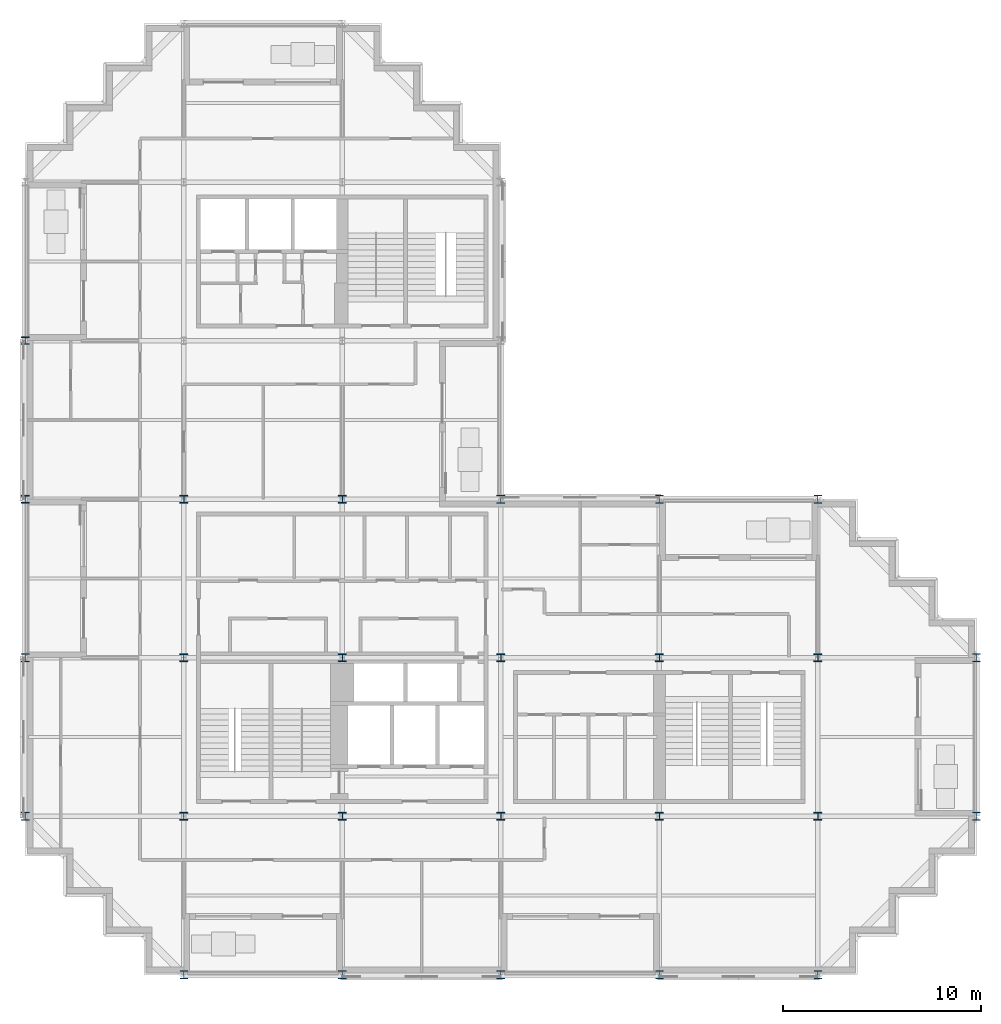
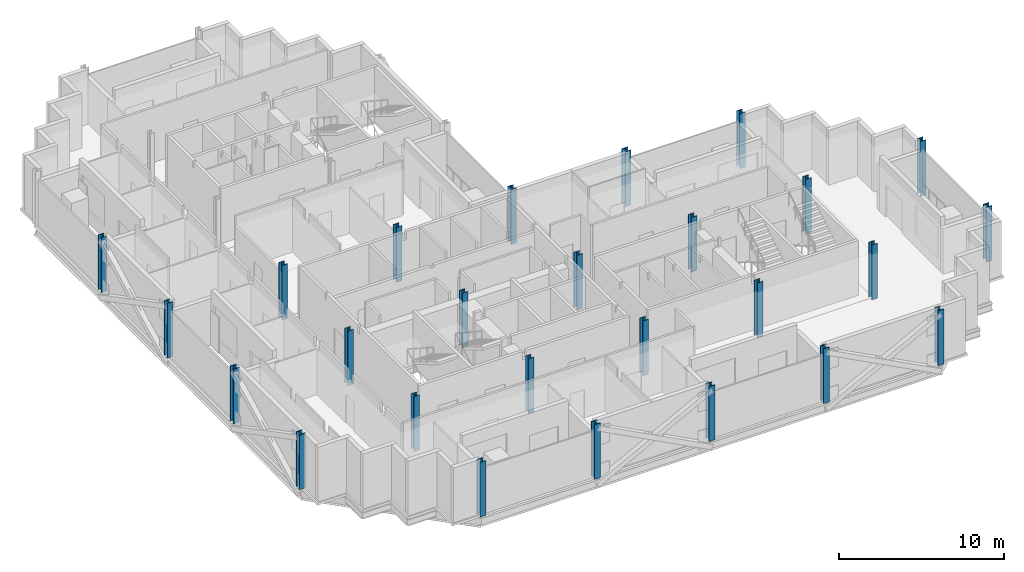
# One storey, part 1 of 13: 26 columns.
"""IFC4 building model written with IfcOpenShell, lengths in metres."""

from ifc_helpers import new_model, si_unit, direction, frame, origin, origin_2d, place, context, subcontext, project, spatial, i_section, extrude, material, material_profile, profile_set, type_object, element, save


model = new_model("IFC4")

# Units and contexts
model_context = context("Model", 3, precision=1e-05, world=origin(), true_north=direction((0.0, 1.0)))
body_context = subcontext(model_context, "Body", "Model", "MODEL_VIEW")
ifc_project = project(units=[si_unit("LENGTHUNIT", "METRE"), si_unit("AREAUNIT", "SQUARE_METRE"), si_unit("VOLUMEUNIT", "CUBIC_METRE"), si_unit("PLANEANGLEUNIT", "RADIAN"), si_unit("MASSUNIT", "GRAM", prefix="KILO")], contexts=[model_context])

# Site, building, storey
site_placement = place(None, origin())
site = spatial("IfcSite", under=ifc_project, at=site_placement, CompositionType="ELEMENT")
building_placement = place(site_placement, origin())
building = spatial("IfcBuilding", under=site, at=building_placement, Name="Immortelle Media Tower", CompositionType="ELEMENT")
storey_placement = place(building_placement, frame((0.0, 0.0, 166.199951171875)))
storey = spatial("IfcBuildingStorey", under=building, at=storey_placement, Name="L34", CompositionType="ELEMENT", Elevation=166.199951171875)

# Columns
ifc_material = material(Name="Steel ASTM A992 Gr 50", Category="steel")
ifc_material_profile_1 = material_profile(ifc_material, i_section(OverallWidth=0.39892578125, OverallDepth=0.385986328125, WebThickness=0.02099609375, FlangeThickness=0.032958984375, at=origin_2d()), Name="W14x176")
ifc_profile_set_1 = profile_set([ifc_material_profile_1], Name="Steel ASTM A992 Gr 50")
column_type_1 = type_object("IfcColumnType", Name="W14x176 column", PredefinedType="COLUMN", material=ifc_profile_set_1)
for number, where, z_axis, x_axis, name in (
    (1, (0.0, 24.0, 0.0), (0.0, 0.0, 1.0), (1.0, 0.0, 0.0), "Column 1/D"),
    (2, (0.0, 32.0, 0.0), (0.0, 0.0, 1.0), (1.0, 0.0, 0.0), "Column 1/E"),
    (3, (8.0, 8.0, 0.0), (0.0, 0.0, 1.0), (1.0, 0.0, 0.0), "Column 2/B"),
    (4, (8.0, 16.0, 0.0), (0.0, 0.0, 1.0), (1.0, 0.0, 0.0), "Column 2/C"),
    (5, (16.0, 8.0, 0.0), (0.0, 0.0, 1.0), (1.0, 0.0, 0.0), "Column 3/B"),
    (6, (16.0, 16.0, 0.0), (0.0, 0.0, 1.0), (1.0, 0.0, 0.0), "Column 3/C"),
    (7, (32.0, 8.0, 0.0), (0.0, 0.0, 1.0), (1.0, 0.0, 0.0), "Column 5/B"),
    (8, (32.0, 16.0, 0.0), (0.0, 0.0, 1.0), (1.0, 0.0, 0.0), "Column 5/C"),
    (9, (40.0, 8.0, 0.0), (0.0, 0.0, 1.0), (1.0, 0.0, 0.0), "Column 6/B"),
    (10, (40.0, 16.0, 0.0), (0.0, 0.0, 1.0), (1.0, 0.0, 0.0), "Column 6/C"),
):
    element("IfcColumn", number, at=place(storey_placement, frame(where, z_axis=z_axis, x_axis=x_axis)), inside=storey, type_object=column_type_1, Name=name, PredefinedType="COLUMN", context=body_context, shape_type="SweptSolid", body=[
        extrude(i_section(OverallWidth=0.39892578125, OverallDepth=0.385986328125, WebThickness=0.02099609375, FlangeThickness=0.032958984375, at=origin_2d()), origin(), (0.0, 0.0, 1.0), 4.050048828125),
    ])
ifc_material_profile_2 = material_profile(ifc_material, i_section(OverallWidth=0.40087890625, OverallDepth=0.39892578125, WebThickness=0.02490234375, FlangeThickness=0.0400390625, at=origin_2d()), Name="W14x211")
ifc_profile_set_2 = profile_set([ifc_material_profile_2], Name="Steel ASTM A992 Gr 50")
column_type_2 = type_object("IfcColumnType", Name="W14x211 column", PredefinedType="COLUMN", material=ifc_profile_set_2)
for number, where, z_axis, x_axis, name in (
    (11, (8.0, 24.0, 0.0), (0.0, 0.0, 1.0), (1.0, 0.0, 0.0), "Column 2/D"),
    (12, (16.0, 24.0, 0.0), (0.0, 0.0, 1.0), (1.0, 0.0, 0.0), "Column 3/D"),
    (13, (24.0, 8.0, 0.0), (0.0, 0.0, 1.0), (1.0, 0.0, 0.0), "Column 4/B"),
    (14, (24.0, 16.0, 0.0), (0.0, 0.0, 1.0), (1.0, 0.0, 0.0), "Column 4/C"),
):
    element("IfcColumn", number, at=place(storey_placement, frame(where, z_axis=z_axis, x_axis=x_axis)), inside=storey, type_object=column_type_2, Name=name, PredefinedType="COLUMN", context=body_context, shape_type="SweptSolid", body=[
        extrude(i_section(OverallWidth=0.40087890625, OverallDepth=0.39892578125, WebThickness=0.02490234375, FlangeThickness=0.0400390625, at=origin_2d()), origin(), (0.0, 0.0, 1.0), 4.050048828125),
    ])
ifc_material_profile_3 = material_profile(ifc_material, i_section(OverallWidth=0.406005859375, OverallDepth=0.4169921875, WebThickness=0.030029296875, FlangeThickness=0.048095703125, at=origin_2d()), Name="W14x257")
ifc_profile_set_3 = profile_set([ifc_material_profile_3], Name="Steel ASTM A992 Gr 50")
column_type_3 = type_object("IfcColumnType", Name="W14x257 column", PredefinedType="COLUMN", material=ifc_profile_set_3)
for number, where, z_axis, x_axis, name in (
    (15, (8.0, 0.0, 0.0), (0.0, 0.0, 1.0), (1.0, 0.0, 0.0), "Column 2/A"),
    (16, (40.0, 24.0, 0.0), (0.0, 0.0, 1.0), (1.0, 0.0, 0.0), "Column 6/D"),
    (17, (48.0, 8.0, 0.0), (0.0, 0.0, 1.0), (1.0, 0.0, 0.0), "Column 7/B"),
    (18, (48.0, 16.0, 0.0), (0.0, 0.0, 1.0), (1.0, 0.0, 0.0), "Column 7/C"),
):
    element("IfcColumn", number, at=place(storey_placement, frame(where, z_axis=z_axis, x_axis=x_axis)), inside=storey, type_object=column_type_3, Name=name, PredefinedType="COLUMN", context=body_context, shape_type="SweptSolid", body=[
        extrude(i_section(OverallWidth=0.406005859375, OverallDepth=0.4169921875, WebThickness=0.030029296875, FlangeThickness=0.048095703125, at=origin_2d()), origin(), (0.0, 0.0, 1.0), 4.050048828125),
    ])
ifc_material_profile_4 = material_profile(ifc_material, i_section(OverallWidth=0.410888671875, OverallDepth=0.43408203125, WebThickness=0.035888671875, FlangeThickness=0.056884765625, at=origin_2d()), Name="W14x311")
ifc_profile_set_4 = profile_set([ifc_material_profile_4], Name="Steel ASTM A992 Gr 50")
column_type_4 = type_object("IfcColumnType", Name="W14x311 column", PredefinedType="COLUMN", material=ifc_profile_set_4)
for number, where, z_axis, x_axis, name in (
    (19, (0.0, 8.0, 0.0), (0.0, 0.0, 1.0), (1.0, 0.0, 0.0), "Column 1/B"),
    (20, (0.0, 16.0, 0.0), (0.0, 0.0, 1.0), (1.0, 0.0, 0.0), "Column 1/C"),
    (21, (16.0, 0.0, 0.0), (0.0, 0.0, 1.0), (1.0, 0.0, 0.0), "Column 3/A"),
    (22, (24.0, 0.0, 0.0), (0.0, 0.0, 1.0), (1.0, 0.0, 0.0), "Column 4/A"),
    (23, (24.0, 24.0, 0.0), (0.0, 0.0, 1.0), (1.0, 0.0, 0.0), "Column 4/D"),
    (24, (32.0, 0.0, 0.0), (0.0, 0.0, 1.0), (1.0, 0.0, 0.0), "Column 5/A"),
    (25, (32.0, 24.0, 0.0), (0.0, 0.0, 1.0), (1.0, 0.0, 0.0), "Column 5/D"),
    (26, (40.0, 0.0, 0.0), (0.0, 0.0, 1.0), (1.0, 0.0, 0.0), "Column 6/A"),
):
    element("IfcColumn", number, at=place(storey_placement, frame(where, z_axis=z_axis, x_axis=x_axis)), inside=storey, type_object=column_type_4, Name=name, PredefinedType="COLUMN", context=body_context, shape_type="SweptSolid", body=[
        extrude(i_section(OverallWidth=0.410888671875, OverallDepth=0.43408203125, WebThickness=0.035888671875, FlangeThickness=0.056884765625, at=origin_2d()), origin(), (0.0, 0.0, 1.0), 4.050048828125),
    ])

save(model, "model.ifc")
